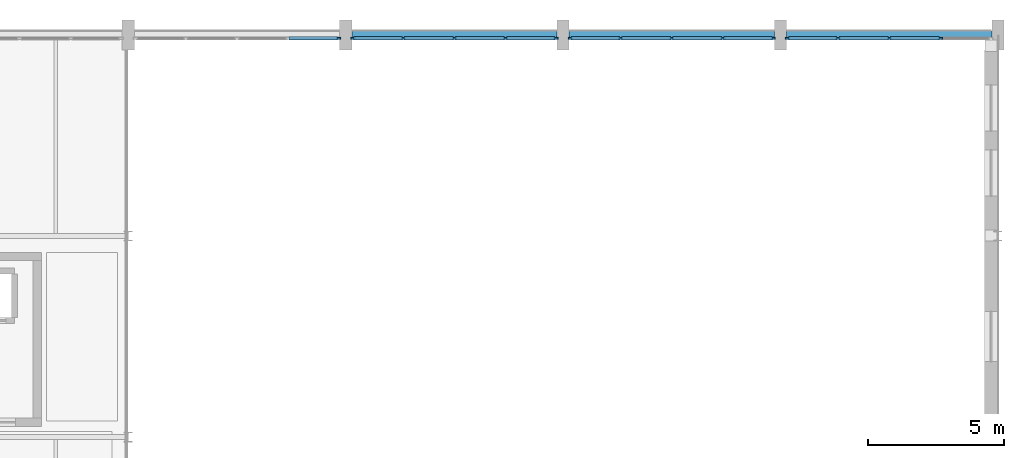
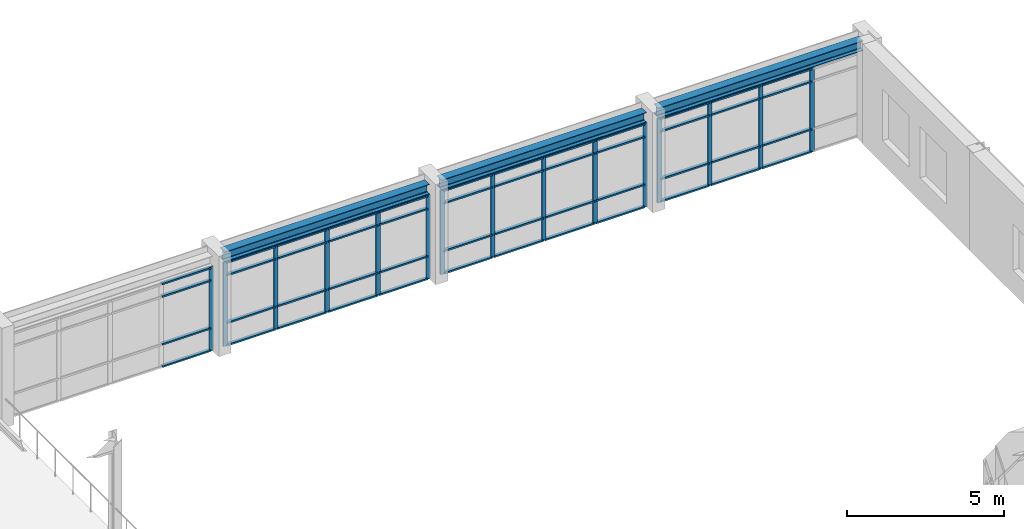
# One storey, part 21 of 45: 63 members, 3 beams, 4 elements without a shape of their own.
"""IFC4 building model written with IfcOpenShell, lengths in metres."""

from ifc_helpers import new_model, si_unit, direction, frame, origin, origin_2d, place, context, subcontext, project, spatial, rectangle, i_section, extrude, material, layer, layer_set, material_profile, profile_set, type_object, element, aggregate, save


model = new_model("IFC4")

# Units and contexts
model_context = context("Model", 3, precision=1e-05, world=origin(), true_north=direction((0.0, 1.0)))
body_context = subcontext(model_context, "Body", "Model", "MODEL_VIEW")
ifc_project = project(units=[si_unit("LENGTHUNIT", "METRE"), si_unit("AREAUNIT", "SQUARE_METRE"), si_unit("VOLUMEUNIT", "CUBIC_METRE"), si_unit("PLANEANGLEUNIT", "RADIAN"), si_unit("MASSUNIT", "GRAM", prefix="KILO")], contexts=[model_context])

# Site, building, storey
site_placement = place(None, origin())
site = spatial("IfcSite", under=ifc_project, at=site_placement, CompositionType="ELEMENT")
building_placement = place(site_placement, origin())
building = spatial("IfcBuilding", under=site, at=building_placement, Name="Valkorina Park Police Headquarters", CompositionType="ELEMENT")
storey_placement = place(building_placement, frame((0.0, 0.0, 23.300048828125)))
storey = spatial("IfcBuildingStorey", under=building, at=storey_placement, Name="L06", CompositionType="ELEMENT", Elevation=23.300048828125)

# Beams
ifc_material_1 = material(Name="Steel S355", Category="steel")
ifc_material_profile_1 = material_profile(ifc_material_1, i_section(OverallWidth=0.300048828125, OverallDepth=0.389892578125, WebThickness=0.010986328125, FlangeThickness=0.01904296875, FilletRadius=0.027099609375, at=origin_2d()), Name="HEA 400")
ifc_profile_set_1 = profile_set([ifc_material_profile_1], Name="Steel S355")
beam_type = type_object("IfcBeamType", Name="BM-S355-HEA400-SPN", PredefinedType="SPANDREL", material=ifc_profile_set_1)
for number, where, z_axis, x_axis, name in (
    (1, (105.02490234375, 81.39990234375, 3.48486328125), (1.0, 0.0, 0.0), (0.0, 1.0, 0.0), "L06 Framing Beam 2652"),
    (2, (113.02490234375, 81.39990234375, 3.48486328125), (1.0, 0.0, 0.0), (0.0, 1.0, 0.0), "L06 Framing Beam 2653"),
    (3, (121.02490234375, 81.39990234375, 3.48486328125), (1.0, 0.0, 0.0), (0.0, 1.0, 0.0), "L06 Framing Beam 2654"),
):
    element("IfcBeam", number, at=place(storey_placement, frame(where, z_axis=z_axis, x_axis=x_axis)), inside=storey, type_object=beam_type, Name=name, PredefinedType="SPANDREL", context=body_context, shape_type="SweptSolid", body=[
        extrude(i_section(OverallWidth=0.300048828125, OverallDepth=0.389892578125, WebThickness=0.010986328125, FlangeThickness=0.01904296875, FilletRadius=0.027099609375, at=origin_2d()), origin(), (0.0, 0.0, 1.0), 7.550048828125),
    ])

# Curtain wall, member
ifc_material_2 = material(Name="Thermally broken aluminium AW-6060", Category="aluminium")
ifc_layer = layer(ifc_material_2, 0.18994140625)
ifc_layer_set = layer_set([ifc_layer], Name="Thermally broken aluminium AW-6060")
curtain_wall_type = type_object("IfcCurtainWallType", Name="CW-CMD-7530x3280", PredefinedType="NOTDEFINED", material=ifc_layer_set)
curtain_wall_1_placement = place(storey_placement, origin())
curtain_wall_1 = element("IfcCurtainWall", 4, at=curtain_wall_1_placement, inside=storey, type_object=curtain_wall_type, Name="L06 Unitised Curtain Wall 112", PredefinedType="NOTDEFINED")
ifc_material_profile_2 = material_profile(ifc_material_2, rectangle(XDim=0.06005859375, YDim=0.159912109375, at=origin_2d()), Name="CWM-01 60x160")
ifc_profile_set_2 = profile_set([ifc_material_profile_2], Name="Thermally broken aluminium AW-6060")
member_type_1 = type_object("IfcMemberType", Name="CWM-60x160", PredefinedType="MULLION", material=ifc_profile_set_2)
member_1_placement = place(storey_placement, frame((104.534912109375, 81.280029296875, 0.0), z_axis=(0.0, 0.0, 1.0), x_axis=(0.0, 1.0, 0.0)))
member_1 = element("IfcMember", 5, at=member_1_placement, type_object=member_type_1, Name="CW-CMD-753-328 mullion 5", PredefinedType="MULLION", context=body_context, shape_type="SweptSolid", body=[
    extrude(rectangle(XDim=0.06005859375, YDim=0.159912109375, at=origin_2d()), origin(), (0.0, 0.0, 1.0), 3.280029296875),
])

# Curtain wall, members
curtain_wall_2_placement = place(storey_placement, origin())
curtain_wall_2 = element("IfcCurtainWall", 6, at=curtain_wall_2_placement, inside=storey, type_object=curtain_wall_type, Name="L06 Unitised Curtain Wall 113", PredefinedType="NOTDEFINED")
member_2_placement = place(storey_placement, frame((105.06494140625, 81.280029296875, 0.0), z_axis=(0.0, 0.0, 1.0), x_axis=(0.0, 1.0, 0.0)))
member_2 = element("IfcMember", 7, at=member_2_placement, type_object=member_type_1, Name="CW-CMD-753-328 mullion 1", PredefinedType="MULLION", context=body_context, shape_type="SweptSolid", body=[
    extrude(rectangle(XDim=0.06005859375, YDim=0.159912109375, at=origin_2d()), origin(), (0.0, 0.0, 1.0), 3.280029296875),
])
member_3_placement = place(storey_placement, frame((106.91748046875, 81.280029296875, 0.0), z_axis=(0.0, 0.0, 1.0), x_axis=(0.0, 1.0, 0.0)))
member_3 = element("IfcMember", 8, at=member_3_placement, type_object=member_type_1, Name="CW-CMD-753-328 mullion 2", PredefinedType="MULLION", context=body_context, shape_type="SweptSolid", body=[
    extrude(rectangle(XDim=0.06005859375, YDim=0.159912109375, at=origin_2d()), origin(), (0.0, 0.0, 1.0), 3.280029296875),
])
member_4_placement = place(storey_placement, frame((108.800048828125, 81.280029296875, 0.0), z_axis=(0.0, 0.0, 1.0), x_axis=(0.0, 1.0, 0.0)))
member_4 = element("IfcMember", 9, at=member_4_placement, type_object=member_type_1, Name="CW-CMD-753-328 mullion 3", PredefinedType="MULLION", context=body_context, shape_type="SweptSolid", body=[
    extrude(rectangle(XDim=0.06005859375, YDim=0.159912109375, at=origin_2d()), origin(), (0.0, 0.0, 1.0), 3.280029296875),
])
member_5_placement = place(storey_placement, frame((110.6826171875, 81.280029296875, 0.0), z_axis=(0.0, 0.0, 1.0), x_axis=(0.0, 1.0, 0.0)))
member_5 = element("IfcMember", 10, at=member_5_placement, type_object=member_type_1, Name="CW-CMD-753-328 mullion 4", PredefinedType="MULLION", context=body_context, shape_type="SweptSolid", body=[
    extrude(rectangle(XDim=0.06005859375, YDim=0.159912109375, at=origin_2d()), origin(), (0.0, 0.0, 1.0), 3.280029296875),
])
member_6_placement = place(storey_placement, frame((112.534912109375, 81.280029296875, 0.0), z_axis=(0.0, 0.0, 1.0), x_axis=(0.0, 1.0, 0.0)))
member_6 = element("IfcMember", 11, at=member_6_placement, type_object=member_type_1, Name="CW-CMD-753-328 mullion 5", PredefinedType="MULLION", context=body_context, shape_type="SweptSolid", body=[
    extrude(rectangle(XDim=0.06005859375, YDim=0.159912109375, at=origin_2d()), origin(), (0.0, 0.0, 1.0), 3.280029296875),
])

curtain_wall_3_placement = place(storey_placement, origin())
curtain_wall_3 = element("IfcCurtainWall", 12, at=curtain_wall_3_placement, inside=storey, type_object=curtain_wall_type, Name="L06 Unitised Curtain Wall 114", PredefinedType="NOTDEFINED")
member_7_placement = place(storey_placement, frame((113.06494140625, 81.280029296875, 0.0), z_axis=(0.0, 0.0, 1.0), x_axis=(0.0, 1.0, 0.0)))
member_7 = element("IfcMember", 13, at=member_7_placement, type_object=member_type_1, Name="CW-CMD-753-328 mullion 1", PredefinedType="MULLION", context=body_context, shape_type="SweptSolid", body=[
    extrude(rectangle(XDim=0.06005859375, YDim=0.159912109375, at=origin_2d()), origin(), (0.0, 0.0, 1.0), 3.280029296875),
])
member_8_placement = place(storey_placement, frame((114.91748046875, 81.280029296875, 0.0), z_axis=(0.0, 0.0, 1.0), x_axis=(0.0, 1.0, 0.0)))
member_8 = element("IfcMember", 14, at=member_8_placement, type_object=member_type_1, Name="CW-CMD-753-328 mullion 2", PredefinedType="MULLION", context=body_context, shape_type="SweptSolid", body=[
    extrude(rectangle(XDim=0.06005859375, YDim=0.159912109375, at=origin_2d()), origin(), (0.0, 0.0, 1.0), 3.280029296875),
])
member_9_placement = place(storey_placement, frame((116.800048828125, 81.280029296875, 0.0), z_axis=(0.0, 0.0, 1.0), x_axis=(0.0, 1.0, 0.0)))
member_9 = element("IfcMember", 15, at=member_9_placement, type_object=member_type_1, Name="CW-CMD-753-328 mullion 3", PredefinedType="MULLION", context=body_context, shape_type="SweptSolid", body=[
    extrude(rectangle(XDim=0.06005859375, YDim=0.159912109375, at=origin_2d()), origin(), (0.0, 0.0, 1.0), 3.280029296875),
])
member_10_placement = place(storey_placement, frame((118.6826171875, 81.280029296875, 0.0), z_axis=(0.0, 0.0, 1.0), x_axis=(0.0, 1.0, 0.0)))
member_10 = element("IfcMember", 16, at=member_10_placement, type_object=member_type_1, Name="CW-CMD-753-328 mullion 4", PredefinedType="MULLION", context=body_context, shape_type="SweptSolid", body=[
    extrude(rectangle(XDim=0.06005859375, YDim=0.159912109375, at=origin_2d()), origin(), (0.0, 0.0, 1.0), 3.280029296875),
])
member_11_placement = place(storey_placement, frame((120.534912109375, 81.280029296875, 0.0), z_axis=(0.0, 0.0, 1.0), x_axis=(0.0, 1.0, 0.0)))
member_11 = element("IfcMember", 17, at=member_11_placement, type_object=member_type_1, Name="CW-CMD-753-328 mullion 5", PredefinedType="MULLION", context=body_context, shape_type="SweptSolid", body=[
    extrude(rectangle(XDim=0.06005859375, YDim=0.159912109375, at=origin_2d()), origin(), (0.0, 0.0, 1.0), 3.280029296875),
])

curtain_wall_4_placement = place(storey_placement, origin())
curtain_wall_4 = element("IfcCurtainWall", 18, at=curtain_wall_4_placement, inside=storey, type_object=curtain_wall_type, Name="L06 Unitised Curtain Wall 115", PredefinedType="NOTDEFINED")
member_12_placement = place(storey_placement, frame((121.06494140625, 81.280029296875, 0.0), z_axis=(0.0, 0.0, 1.0), x_axis=(0.0, 1.0, 0.0)))
member_12 = element("IfcMember", 19, at=member_12_placement, type_object=member_type_1, Name="CW-CMD-753-328 mullion 1", PredefinedType="MULLION", context=body_context, shape_type="SweptSolid", body=[
    extrude(rectangle(XDim=0.06005859375, YDim=0.159912109375, at=origin_2d()), origin(), (0.0, 0.0, 1.0), 3.280029296875),
])
member_13_placement = place(storey_placement, frame((122.91748046875, 81.280029296875, 0.0), z_axis=(0.0, 0.0, 1.0), x_axis=(0.0, 1.0, 0.0)))
member_13 = element("IfcMember", 20, at=member_13_placement, type_object=member_type_1, Name="CW-CMD-753-328 mullion 2", PredefinedType="MULLION", context=body_context, shape_type="SweptSolid", body=[
    extrude(rectangle(XDim=0.06005859375, YDim=0.159912109375, at=origin_2d()), origin(), (0.0, 0.0, 1.0), 3.280029296875),
])
member_14_placement = place(storey_placement, frame((124.800048828125, 81.280029296875, 0.0), z_axis=(0.0, 0.0, 1.0), x_axis=(0.0, 1.0, 0.0)))
member_14 = element("IfcMember", 21, at=member_14_placement, type_object=member_type_1, Name="CW-CMD-753-328 mullion 3", PredefinedType="MULLION", context=body_context, shape_type="SweptSolid", body=[
    extrude(rectangle(XDim=0.06005859375, YDim=0.159912109375, at=origin_2d()), origin(), (0.0, 0.0, 1.0), 3.280029296875),
])
member_15_placement = place(storey_placement, frame((126.6826171875, 81.280029296875, 0.0), z_axis=(0.0, 0.0, 1.0), x_axis=(0.0, 1.0, 0.0)))
member_15 = element("IfcMember", 22, at=member_15_placement, type_object=member_type_1, Name="CW-CMD-753-328 mullion 4", PredefinedType="MULLION", context=body_context, shape_type="SweptSolid", body=[
    extrude(rectangle(XDim=0.06005859375, YDim=0.159912109375, at=origin_2d()), origin(), (0.0, 0.0, 1.0), 3.280029296875),
])

# Member
ifc_material_profile_3 = material_profile(ifc_material_2, rectangle(XDim=0.1201171875, YDim=0.06005859375, at=origin_2d()), Name="CWT-01 120x60")
ifc_profile_set_3 = profile_set([ifc_material_profile_3], Name="Thermally broken aluminium AW-6060")
member_type_2 = type_object("IfcMemberType", Name="CWT-120x60", PredefinedType="USERDEFINED", material=ifc_profile_set_3)
member_16_placement = place(storey_placement, frame((102.71240234375, 81.280029296875, 0.030029296875), z_axis=(1.0, 0.0, 0.0), x_axis=(0.0, 1.0, 0.0)))
member_16 = element("IfcMember", 23, at=member_16_placement, type_object=member_type_2, Name="CW-CMD-753-328 transom 4.1", ObjectType="TRANSOM", PredefinedType="USERDEFINED", context=body_context, shape_type="SweptSolid", body=[
    extrude(rectangle(XDim=0.1201171875, YDim=0.06005859375, at=origin_2d()), origin(), (0.0, 0.0, 1.0), 1.79248046875),
])

member_17_placement = place(storey_placement, frame((102.71240234375, 81.280029296875, 0.89990234375), z_axis=(1.0, 0.0, 0.0), x_axis=(0.0, 1.0, 0.0)))
member_17 = element("IfcMember", 24, at=member_17_placement, type_object=member_type_2, Name="CW-CMD-753-328 transom 4.2", ObjectType="TRANSOM", PredefinedType="USERDEFINED", context=body_context, shape_type="SweptSolid", body=[
    extrude(rectangle(XDim=0.1201171875, YDim=0.06005859375, at=origin_2d()), origin(), (0.0, 0.0, 1.0), 1.79248046875),
])

member_18_placement = place(storey_placement, frame((102.71240234375, 81.280029296875, 2.760009765625), z_axis=(1.0, 0.0, 0.0), x_axis=(0.0, 1.0, 0.0)))
member_18 = element("IfcMember", 25, at=member_18_placement, type_object=member_type_2, Name="CW-CMD-753-328 transom 4.3", ObjectType="TRANSOM", PredefinedType="USERDEFINED", context=body_context, shape_type="SweptSolid", body=[
    extrude(rectangle(XDim=0.1201171875, YDim=0.06005859375, at=origin_2d()), origin(), (0.0, 0.0, 1.0), 1.79248046875),
])

member_19_placement = place(storey_placement, frame((102.71240234375, 81.280029296875, 3.25), z_axis=(1.0, 0.0, 0.0), x_axis=(0.0, 1.0, 0.0)))
member_19 = element("IfcMember", 26, at=member_19_placement, type_object=member_type_2, Name="CW-CMD-753-328 transom 4.4", ObjectType="TRANSOM", PredefinedType="USERDEFINED", context=body_context, shape_type="SweptSolid", body=[
    extrude(rectangle(XDim=0.1201171875, YDim=0.06005859375, at=origin_2d()), origin(), (0.0, 0.0, 1.0), 1.79248046875),
])

aggregate(curtain_wall_1, [member_1, member_16, member_17, member_18, member_19])

member_20_placement = place(storey_placement, frame((105.094970703125, 81.280029296875, 0.030029296875), z_axis=(1.0, 0.0, 0.0), x_axis=(0.0, 1.0, 0.0)))
member_20 = element("IfcMember", 27, at=member_20_placement, type_object=member_type_2, Name="CW-CMD-753-328 transom 1.1", ObjectType="TRANSOM", PredefinedType="USERDEFINED", context=body_context, shape_type="SweptSolid", body=[
    extrude(rectangle(XDim=0.1201171875, YDim=0.06005859375, at=origin_2d()), origin(), (0.0, 0.0, 1.0), 1.79248046875),
])

member_21_placement = place(storey_placement, frame((105.094970703125, 81.280029296875, 0.89990234375), z_axis=(1.0, 0.0, 0.0), x_axis=(0.0, 1.0, 0.0)))
member_21 = element("IfcMember", 28, at=member_21_placement, type_object=member_type_2, Name="CW-CMD-753-328 transom 1.2", ObjectType="TRANSOM", PredefinedType="USERDEFINED", context=body_context, shape_type="SweptSolid", body=[
    extrude(rectangle(XDim=0.1201171875, YDim=0.06005859375, at=origin_2d()), origin(), (0.0, 0.0, 1.0), 1.79248046875),
])

member_22_placement = place(storey_placement, frame((105.094970703125, 81.280029296875, 2.760009765625), z_axis=(1.0, 0.0, 0.0), x_axis=(0.0, 1.0, 0.0)))
member_22 = element("IfcMember", 29, at=member_22_placement, type_object=member_type_2, Name="CW-CMD-753-328 transom 1.3", ObjectType="TRANSOM", PredefinedType="USERDEFINED", context=body_context, shape_type="SweptSolid", body=[
    extrude(rectangle(XDim=0.1201171875, YDim=0.06005859375, at=origin_2d()), origin(), (0.0, 0.0, 1.0), 1.79248046875),
])

member_23_placement = place(storey_placement, frame((105.094970703125, 81.280029296875, 3.25), z_axis=(1.0, 0.0, 0.0), x_axis=(0.0, 1.0, 0.0)))
member_23 = element("IfcMember", 30, at=member_23_placement, type_object=member_type_2, Name="CW-CMD-753-328 transom 1.4", ObjectType="TRANSOM", PredefinedType="USERDEFINED", context=body_context, shape_type="SweptSolid", body=[
    extrude(rectangle(XDim=0.1201171875, YDim=0.06005859375, at=origin_2d()), origin(), (0.0, 0.0, 1.0), 1.79248046875),
])

member_24_placement = place(storey_placement, frame((106.947509765625, 81.280029296875, 0.030029296875), z_axis=(1.0, 0.0, 0.0), x_axis=(0.0, 1.0, 0.0)))
member_24 = element("IfcMember", 31, at=member_24_placement, type_object=member_type_2, Name="CW-CMD-753-328 transom 2.1", ObjectType="TRANSOM", PredefinedType="USERDEFINED", context=body_context, shape_type="SweptSolid", body=[
    extrude(rectangle(XDim=0.1201171875, YDim=0.06005859375, at=origin_2d()), origin(), (0.0, 0.0, 1.0), 1.822509765625),
])

member_25_placement = place(storey_placement, frame((106.947509765625, 81.280029296875, 0.89990234375), z_axis=(1.0, 0.0, 0.0), x_axis=(0.0, 1.0, 0.0)))
member_25 = element("IfcMember", 32, at=member_25_placement, type_object=member_type_2, Name="CW-CMD-753-328 transom 2.2", ObjectType="TRANSOM", PredefinedType="USERDEFINED", context=body_context, shape_type="SweptSolid", body=[
    extrude(rectangle(XDim=0.1201171875, YDim=0.06005859375, at=origin_2d()), origin(), (0.0, 0.0, 1.0), 1.822509765625),
])

member_26_placement = place(storey_placement, frame((106.947509765625, 81.280029296875, 2.760009765625), z_axis=(1.0, 0.0, 0.0), x_axis=(0.0, 1.0, 0.0)))
member_26 = element("IfcMember", 33, at=member_26_placement, type_object=member_type_2, Name="CW-CMD-753-328 transom 2.3", ObjectType="TRANSOM", PredefinedType="USERDEFINED", context=body_context, shape_type="SweptSolid", body=[
    extrude(rectangle(XDim=0.1201171875, YDim=0.06005859375, at=origin_2d()), origin(), (0.0, 0.0, 1.0), 1.822509765625),
])

member_27_placement = place(storey_placement, frame((106.947509765625, 81.280029296875, 3.25), z_axis=(1.0, 0.0, 0.0), x_axis=(0.0, 1.0, 0.0)))
member_27 = element("IfcMember", 34, at=member_27_placement, type_object=member_type_2, Name="CW-CMD-753-328 transom 2.4", ObjectType="TRANSOM", PredefinedType="USERDEFINED", context=body_context, shape_type="SweptSolid", body=[
    extrude(rectangle(XDim=0.1201171875, YDim=0.06005859375, at=origin_2d()), origin(), (0.0, 0.0, 1.0), 1.822509765625),
])

member_28_placement = place(storey_placement, frame((108.830078125, 81.280029296875, 0.030029296875), z_axis=(1.0, 0.0, 0.0), x_axis=(0.0, 1.0, 0.0)))
member_28 = element("IfcMember", 35, at=member_28_placement, type_object=member_type_2, Name="CW-CMD-753-328 transom 3.1", ObjectType="TRANSOM", PredefinedType="USERDEFINED", context=body_context, shape_type="SweptSolid", body=[
    extrude(rectangle(XDim=0.1201171875, YDim=0.06005859375, at=origin_2d()), origin(), (0.0, 0.0, 1.0), 1.822509765625),
])

member_29_placement = place(storey_placement, frame((108.830078125, 81.280029296875, 0.89990234375), z_axis=(1.0, 0.0, 0.0), x_axis=(0.0, 1.0, 0.0)))
member_29 = element("IfcMember", 36, at=member_29_placement, type_object=member_type_2, Name="CW-CMD-753-328 transom 3.2", ObjectType="TRANSOM", PredefinedType="USERDEFINED", context=body_context, shape_type="SweptSolid", body=[
    extrude(rectangle(XDim=0.1201171875, YDim=0.06005859375, at=origin_2d()), origin(), (0.0, 0.0, 1.0), 1.822509765625),
])

member_30_placement = place(storey_placement, frame((108.830078125, 81.280029296875, 2.760009765625), z_axis=(1.0, 0.0, 0.0), x_axis=(0.0, 1.0, 0.0)))
member_30 = element("IfcMember", 37, at=member_30_placement, type_object=member_type_2, Name="CW-CMD-753-328 transom 3.3", ObjectType="TRANSOM", PredefinedType="USERDEFINED", context=body_context, shape_type="SweptSolid", body=[
    extrude(rectangle(XDim=0.1201171875, YDim=0.06005859375, at=origin_2d()), origin(), (0.0, 0.0, 1.0), 1.822509765625),
])

member_31_placement = place(storey_placement, frame((108.830078125, 81.280029296875, 3.25), z_axis=(1.0, 0.0, 0.0), x_axis=(0.0, 1.0, 0.0)))
member_31 = element("IfcMember", 38, at=member_31_placement, type_object=member_type_2, Name="CW-CMD-753-328 transom 3.4", ObjectType="TRANSOM", PredefinedType="USERDEFINED", context=body_context, shape_type="SweptSolid", body=[
    extrude(rectangle(XDim=0.1201171875, YDim=0.06005859375, at=origin_2d()), origin(), (0.0, 0.0, 1.0), 1.822509765625),
])

member_32_placement = place(storey_placement, frame((110.71240234375, 81.280029296875, 0.030029296875), z_axis=(1.0, 0.0, 0.0), x_axis=(0.0, 1.0, 0.0)))
member_32 = element("IfcMember", 39, at=member_32_placement, type_object=member_type_2, Name="CW-CMD-753-328 transom 4.1", ObjectType="TRANSOM", PredefinedType="USERDEFINED", context=body_context, shape_type="SweptSolid", body=[
    extrude(rectangle(XDim=0.1201171875, YDim=0.06005859375, at=origin_2d()), origin(), (0.0, 0.0, 1.0), 1.79248046875),
])

member_33_placement = place(storey_placement, frame((110.71240234375, 81.280029296875, 0.89990234375), z_axis=(1.0, 0.0, 0.0), x_axis=(0.0, 1.0, 0.0)))
member_33 = element("IfcMember", 40, at=member_33_placement, type_object=member_type_2, Name="CW-CMD-753-328 transom 4.2", ObjectType="TRANSOM", PredefinedType="USERDEFINED", context=body_context, shape_type="SweptSolid", body=[
    extrude(rectangle(XDim=0.1201171875, YDim=0.06005859375, at=origin_2d()), origin(), (0.0, 0.0, 1.0), 1.79248046875),
])

member_34_placement = place(storey_placement, frame((110.71240234375, 81.280029296875, 2.760009765625), z_axis=(1.0, 0.0, 0.0), x_axis=(0.0, 1.0, 0.0)))
member_34 = element("IfcMember", 41, at=member_34_placement, type_object=member_type_2, Name="CW-CMD-753-328 transom 4.3", ObjectType="TRANSOM", PredefinedType="USERDEFINED", context=body_context, shape_type="SweptSolid", body=[
    extrude(rectangle(XDim=0.1201171875, YDim=0.06005859375, at=origin_2d()), origin(), (0.0, 0.0, 1.0), 1.79248046875),
])

member_35_placement = place(storey_placement, frame((110.71240234375, 81.280029296875, 3.25), z_axis=(1.0, 0.0, 0.0), x_axis=(0.0, 1.0, 0.0)))
member_35 = element("IfcMember", 42, at=member_35_placement, type_object=member_type_2, Name="CW-CMD-753-328 transom 4.4", ObjectType="TRANSOM", PredefinedType="USERDEFINED", context=body_context, shape_type="SweptSolid", body=[
    extrude(rectangle(XDim=0.1201171875, YDim=0.06005859375, at=origin_2d()), origin(), (0.0, 0.0, 1.0), 1.79248046875),
])

aggregate(curtain_wall_2, [member_2, member_3, member_4, member_5, member_6, member_20, member_21, member_22, member_23, member_24, member_25, member_26, member_27, member_28, member_29, member_30, member_31, member_32, member_33, member_34, member_35])

member_36_placement = place(storey_placement, frame((113.094970703125, 81.280029296875, 0.030029296875), z_axis=(1.0, 0.0, 0.0), x_axis=(0.0, 1.0, 0.0)))
member_36 = element("IfcMember", 43, at=member_36_placement, type_object=member_type_2, Name="CW-CMD-753-328 transom 1.1", ObjectType="TRANSOM", PredefinedType="USERDEFINED", context=body_context, shape_type="SweptSolid", body=[
    extrude(rectangle(XDim=0.1201171875, YDim=0.06005859375, at=origin_2d()), origin(), (0.0, 0.0, 1.0), 1.79248046875),
])

member_37_placement = place(storey_placement, frame((113.094970703125, 81.280029296875, 0.89990234375), z_axis=(1.0, 0.0, 0.0), x_axis=(0.0, 1.0, 0.0)))
member_37 = element("IfcMember", 44, at=member_37_placement, type_object=member_type_2, Name="CW-CMD-753-328 transom 1.2", ObjectType="TRANSOM", PredefinedType="USERDEFINED", context=body_context, shape_type="SweptSolid", body=[
    extrude(rectangle(XDim=0.1201171875, YDim=0.06005859375, at=origin_2d()), origin(), (0.0, 0.0, 1.0), 1.79248046875),
])

member_38_placement = place(storey_placement, frame((113.094970703125, 81.280029296875, 2.760009765625), z_axis=(1.0, 0.0, 0.0), x_axis=(0.0, 1.0, 0.0)))
member_38 = element("IfcMember", 45, at=member_38_placement, type_object=member_type_2, Name="CW-CMD-753-328 transom 1.3", ObjectType="TRANSOM", PredefinedType="USERDEFINED", context=body_context, shape_type="SweptSolid", body=[
    extrude(rectangle(XDim=0.1201171875, YDim=0.06005859375, at=origin_2d()), origin(), (0.0, 0.0, 1.0), 1.79248046875),
])

member_39_placement = place(storey_placement, frame((113.094970703125, 81.280029296875, 3.25), z_axis=(1.0, 0.0, 0.0), x_axis=(0.0, 1.0, 0.0)))
member_39 = element("IfcMember", 46, at=member_39_placement, type_object=member_type_2, Name="CW-CMD-753-328 transom 1.4", ObjectType="TRANSOM", PredefinedType="USERDEFINED", context=body_context, shape_type="SweptSolid", body=[
    extrude(rectangle(XDim=0.1201171875, YDim=0.06005859375, at=origin_2d()), origin(), (0.0, 0.0, 1.0), 1.79248046875),
])

member_40_placement = place(storey_placement, frame((114.947509765625, 81.280029296875, 0.030029296875), z_axis=(1.0, 0.0, 0.0), x_axis=(0.0, 1.0, 0.0)))
member_40 = element("IfcMember", 47, at=member_40_placement, type_object=member_type_2, Name="CW-CMD-753-328 transom 2.1", ObjectType="TRANSOM", PredefinedType="USERDEFINED", context=body_context, shape_type="SweptSolid", body=[
    extrude(rectangle(XDim=0.1201171875, YDim=0.06005859375, at=origin_2d()), origin(), (0.0, 0.0, 1.0), 1.822509765625),
])

member_41_placement = place(storey_placement, frame((114.947509765625, 81.280029296875, 0.89990234375), z_axis=(1.0, 0.0, 0.0), x_axis=(0.0, 1.0, 0.0)))
member_41 = element("IfcMember", 48, at=member_41_placement, type_object=member_type_2, Name="CW-CMD-753-328 transom 2.2", ObjectType="TRANSOM", PredefinedType="USERDEFINED", context=body_context, shape_type="SweptSolid", body=[
    extrude(rectangle(XDim=0.1201171875, YDim=0.06005859375, at=origin_2d()), origin(), (0.0, 0.0, 1.0), 1.822509765625),
])

member_42_placement = place(storey_placement, frame((114.947509765625, 81.280029296875, 2.760009765625), z_axis=(1.0, 0.0, 0.0), x_axis=(0.0, 1.0, 0.0)))
member_42 = element("IfcMember", 49, at=member_42_placement, type_object=member_type_2, Name="CW-CMD-753-328 transom 2.3", ObjectType="TRANSOM", PredefinedType="USERDEFINED", context=body_context, shape_type="SweptSolid", body=[
    extrude(rectangle(XDim=0.1201171875, YDim=0.06005859375, at=origin_2d()), origin(), (0.0, 0.0, 1.0), 1.822509765625),
])

member_43_placement = place(storey_placement, frame((114.947509765625, 81.280029296875, 3.25), z_axis=(1.0, 0.0, 0.0), x_axis=(0.0, 1.0, 0.0)))
member_43 = element("IfcMember", 50, at=member_43_placement, type_object=member_type_2, Name="CW-CMD-753-328 transom 2.4", ObjectType="TRANSOM", PredefinedType="USERDEFINED", context=body_context, shape_type="SweptSolid", body=[
    extrude(rectangle(XDim=0.1201171875, YDim=0.06005859375, at=origin_2d()), origin(), (0.0, 0.0, 1.0), 1.822509765625),
])

member_44_placement = place(storey_placement, frame((116.830078125, 81.280029296875, 0.030029296875), z_axis=(1.0, 0.0, 0.0), x_axis=(0.0, 1.0, 0.0)))
member_44 = element("IfcMember", 51, at=member_44_placement, type_object=member_type_2, Name="CW-CMD-753-328 transom 3.1", ObjectType="TRANSOM", PredefinedType="USERDEFINED", context=body_context, shape_type="SweptSolid", body=[
    extrude(rectangle(XDim=0.1201171875, YDim=0.06005859375, at=origin_2d()), origin(), (0.0, 0.0, 1.0), 1.822509765625),
])

member_45_placement = place(storey_placement, frame((116.830078125, 81.280029296875, 0.89990234375), z_axis=(1.0, 0.0, 0.0), x_axis=(0.0, 1.0, 0.0)))
member_45 = element("IfcMember", 52, at=member_45_placement, type_object=member_type_2, Name="CW-CMD-753-328 transom 3.2", ObjectType="TRANSOM", PredefinedType="USERDEFINED", context=body_context, shape_type="SweptSolid", body=[
    extrude(rectangle(XDim=0.1201171875, YDim=0.06005859375, at=origin_2d()), origin(), (0.0, 0.0, 1.0), 1.822509765625),
])

member_46_placement = place(storey_placement, frame((116.830078125, 81.280029296875, 2.760009765625), z_axis=(1.0, 0.0, 0.0), x_axis=(0.0, 1.0, 0.0)))
member_46 = element("IfcMember", 53, at=member_46_placement, type_object=member_type_2, Name="CW-CMD-753-328 transom 3.3", ObjectType="TRANSOM", PredefinedType="USERDEFINED", context=body_context, shape_type="SweptSolid", body=[
    extrude(rectangle(XDim=0.1201171875, YDim=0.06005859375, at=origin_2d()), origin(), (0.0, 0.0, 1.0), 1.822509765625),
])

member_47_placement = place(storey_placement, frame((116.830078125, 81.280029296875, 3.25), z_axis=(1.0, 0.0, 0.0), x_axis=(0.0, 1.0, 0.0)))
member_47 = element("IfcMember", 54, at=member_47_placement, type_object=member_type_2, Name="CW-CMD-753-328 transom 3.4", ObjectType="TRANSOM", PredefinedType="USERDEFINED", context=body_context, shape_type="SweptSolid", body=[
    extrude(rectangle(XDim=0.1201171875, YDim=0.06005859375, at=origin_2d()), origin(), (0.0, 0.0, 1.0), 1.822509765625),
])

member_48_placement = place(storey_placement, frame((118.71240234375, 81.280029296875, 0.030029296875), z_axis=(1.0, 0.0, 0.0), x_axis=(0.0, 1.0, 0.0)))
member_48 = element("IfcMember", 55, at=member_48_placement, type_object=member_type_2, Name="CW-CMD-753-328 transom 4.1", ObjectType="TRANSOM", PredefinedType="USERDEFINED", context=body_context, shape_type="SweptSolid", body=[
    extrude(rectangle(XDim=0.1201171875, YDim=0.06005859375, at=origin_2d()), origin(), (0.0, 0.0, 1.0), 1.79248046875),
])

member_49_placement = place(storey_placement, frame((118.71240234375, 81.280029296875, 0.89990234375), z_axis=(1.0, 0.0, 0.0), x_axis=(0.0, 1.0, 0.0)))
member_49 = element("IfcMember", 56, at=member_49_placement, type_object=member_type_2, Name="CW-CMD-753-328 transom 4.2", ObjectType="TRANSOM", PredefinedType="USERDEFINED", context=body_context, shape_type="SweptSolid", body=[
    extrude(rectangle(XDim=0.1201171875, YDim=0.06005859375, at=origin_2d()), origin(), (0.0, 0.0, 1.0), 1.79248046875),
])

member_50_placement = place(storey_placement, frame((118.71240234375, 81.280029296875, 2.760009765625), z_axis=(1.0, 0.0, 0.0), x_axis=(0.0, 1.0, 0.0)))
member_50 = element("IfcMember", 57, at=member_50_placement, type_object=member_type_2, Name="CW-CMD-753-328 transom 4.3", ObjectType="TRANSOM", PredefinedType="USERDEFINED", context=body_context, shape_type="SweptSolid", body=[
    extrude(rectangle(XDim=0.1201171875, YDim=0.06005859375, at=origin_2d()), origin(), (0.0, 0.0, 1.0), 1.79248046875),
])

member_51_placement = place(storey_placement, frame((118.71240234375, 81.280029296875, 3.25), z_axis=(1.0, 0.0, 0.0), x_axis=(0.0, 1.0, 0.0)))
member_51 = element("IfcMember", 58, at=member_51_placement, type_object=member_type_2, Name="CW-CMD-753-328 transom 4.4", ObjectType="TRANSOM", PredefinedType="USERDEFINED", context=body_context, shape_type="SweptSolid", body=[
    extrude(rectangle(XDim=0.1201171875, YDim=0.06005859375, at=origin_2d()), origin(), (0.0, 0.0, 1.0), 1.79248046875),
])

aggregate(curtain_wall_3, [member_7, member_8, member_9, member_10, member_11, member_36, member_37, member_38, member_39, member_40, member_41, member_42, member_43, member_44, member_45, member_46, member_47, member_48, member_49, member_50, member_51])

member_52_placement = place(storey_placement, frame((121.094970703125, 81.280029296875, 0.030029296875), z_axis=(1.0, 0.0, 0.0), x_axis=(0.0, 1.0, 0.0)))
member_52 = element("IfcMember", 59, at=member_52_placement, type_object=member_type_2, Name="CW-CMD-753-328 transom 1.1", ObjectType="TRANSOM", PredefinedType="USERDEFINED", context=body_context, shape_type="SweptSolid", body=[
    extrude(rectangle(XDim=0.1201171875, YDim=0.06005859375, at=origin_2d()), origin(), (0.0, 0.0, 1.0), 1.79248046875),
])

member_53_placement = place(storey_placement, frame((121.094970703125, 81.280029296875, 0.89990234375), z_axis=(1.0, 0.0, 0.0), x_axis=(0.0, 1.0, 0.0)))
member_53 = element("IfcMember", 60, at=member_53_placement, type_object=member_type_2, Name="CW-CMD-753-328 transom 1.2", ObjectType="TRANSOM", PredefinedType="USERDEFINED", context=body_context, shape_type="SweptSolid", body=[
    extrude(rectangle(XDim=0.1201171875, YDim=0.06005859375, at=origin_2d()), origin(), (0.0, 0.0, 1.0), 1.79248046875),
])

member_54_placement = place(storey_placement, frame((121.094970703125, 81.280029296875, 2.760009765625), z_axis=(1.0, 0.0, 0.0), x_axis=(0.0, 1.0, 0.0)))
member_54 = element("IfcMember", 61, at=member_54_placement, type_object=member_type_2, Name="CW-CMD-753-328 transom 1.3", ObjectType="TRANSOM", PredefinedType="USERDEFINED", context=body_context, shape_type="SweptSolid", body=[
    extrude(rectangle(XDim=0.1201171875, YDim=0.06005859375, at=origin_2d()), origin(), (0.0, 0.0, 1.0), 1.79248046875),
])

member_55_placement = place(storey_placement, frame((121.094970703125, 81.280029296875, 3.25), z_axis=(1.0, 0.0, 0.0), x_axis=(0.0, 1.0, 0.0)))
member_55 = element("IfcMember", 62, at=member_55_placement, type_object=member_type_2, Name="CW-CMD-753-328 transom 1.4", ObjectType="TRANSOM", PredefinedType="USERDEFINED", context=body_context, shape_type="SweptSolid", body=[
    extrude(rectangle(XDim=0.1201171875, YDim=0.06005859375, at=origin_2d()), origin(), (0.0, 0.0, 1.0), 1.79248046875),
])

member_56_placement = place(storey_placement, frame((122.947509765625, 81.280029296875, 0.030029296875), z_axis=(1.0, 0.0, 0.0), x_axis=(0.0, 1.0, 0.0)))
member_56 = element("IfcMember", 63, at=member_56_placement, type_object=member_type_2, Name="CW-CMD-753-328 transom 2.1", ObjectType="TRANSOM", PredefinedType="USERDEFINED", context=body_context, shape_type="SweptSolid", body=[
    extrude(rectangle(XDim=0.1201171875, YDim=0.06005859375, at=origin_2d()), origin(), (0.0, 0.0, 1.0), 1.822509765625),
])

member_57_placement = place(storey_placement, frame((122.947509765625, 81.280029296875, 0.89990234375), z_axis=(1.0, 0.0, 0.0), x_axis=(0.0, 1.0, 0.0)))
member_57 = element("IfcMember", 64, at=member_57_placement, type_object=member_type_2, Name="CW-CMD-753-328 transom 2.2", ObjectType="TRANSOM", PredefinedType="USERDEFINED", context=body_context, shape_type="SweptSolid", body=[
    extrude(rectangle(XDim=0.1201171875, YDim=0.06005859375, at=origin_2d()), origin(), (0.0, 0.0, 1.0), 1.822509765625),
])

member_58_placement = place(storey_placement, frame((122.947509765625, 81.280029296875, 2.760009765625), z_axis=(1.0, 0.0, 0.0), x_axis=(0.0, 1.0, 0.0)))
member_58 = element("IfcMember", 65, at=member_58_placement, type_object=member_type_2, Name="CW-CMD-753-328 transom 2.3", ObjectType="TRANSOM", PredefinedType="USERDEFINED", context=body_context, shape_type="SweptSolid", body=[
    extrude(rectangle(XDim=0.1201171875, YDim=0.06005859375, at=origin_2d()), origin(), (0.0, 0.0, 1.0), 1.822509765625),
])

member_59_placement = place(storey_placement, frame((122.947509765625, 81.280029296875, 3.25), z_axis=(1.0, 0.0, 0.0), x_axis=(0.0, 1.0, 0.0)))
member_59 = element("IfcMember", 66, at=member_59_placement, type_object=member_type_2, Name="CW-CMD-753-328 transom 2.4", ObjectType="TRANSOM", PredefinedType="USERDEFINED", context=body_context, shape_type="SweptSolid", body=[
    extrude(rectangle(XDim=0.1201171875, YDim=0.06005859375, at=origin_2d()), origin(), (0.0, 0.0, 1.0), 1.822509765625),
])

member_60_placement = place(storey_placement, frame((124.830078125, 81.280029296875, 0.030029296875), z_axis=(1.0, 0.0, 0.0), x_axis=(0.0, 1.0, 0.0)))
member_60 = element("IfcMember", 67, at=member_60_placement, type_object=member_type_2, Name="CW-CMD-753-328 transom 3.1", ObjectType="TRANSOM", PredefinedType="USERDEFINED", context=body_context, shape_type="SweptSolid", body=[
    extrude(rectangle(XDim=0.1201171875, YDim=0.06005859375, at=origin_2d()), origin(), (0.0, 0.0, 1.0), 1.822509765625),
])

member_61_placement = place(storey_placement, frame((124.830078125, 81.280029296875, 0.89990234375), z_axis=(1.0, 0.0, 0.0), x_axis=(0.0, 1.0, 0.0)))
member_61 = element("IfcMember", 68, at=member_61_placement, type_object=member_type_2, Name="CW-CMD-753-328 transom 3.2", ObjectType="TRANSOM", PredefinedType="USERDEFINED", context=body_context, shape_type="SweptSolid", body=[
    extrude(rectangle(XDim=0.1201171875, YDim=0.06005859375, at=origin_2d()), origin(), (0.0, 0.0, 1.0), 1.822509765625),
])

member_62_placement = place(storey_placement, frame((124.830078125, 81.280029296875, 2.760009765625), z_axis=(1.0, 0.0, 0.0), x_axis=(0.0, 1.0, 0.0)))
member_62 = element("IfcMember", 69, at=member_62_placement, type_object=member_type_2, Name="CW-CMD-753-328 transom 3.3", ObjectType="TRANSOM", PredefinedType="USERDEFINED", context=body_context, shape_type="SweptSolid", body=[
    extrude(rectangle(XDim=0.1201171875, YDim=0.06005859375, at=origin_2d()), origin(), (0.0, 0.0, 1.0), 1.822509765625),
])

member_63_placement = place(storey_placement, frame((124.830078125, 81.280029296875, 3.25), z_axis=(1.0, 0.0, 0.0), x_axis=(0.0, 1.0, 0.0)))
member_63 = element("IfcMember", 70, at=member_63_placement, type_object=member_type_2, Name="CW-CMD-753-328 transom 3.4", ObjectType="TRANSOM", PredefinedType="USERDEFINED", context=body_context, shape_type="SweptSolid", body=[
    extrude(rectangle(XDim=0.1201171875, YDim=0.06005859375, at=origin_2d()), origin(), (0.0, 0.0, 1.0), 1.822509765625),
])

aggregate(curtain_wall_4, [member_12, member_13, member_14, member_15, member_52, member_53, member_54, member_55, member_56, member_57, member_58, member_59, member_60, member_61, member_62, member_63])

save(model, "model.ifc")
